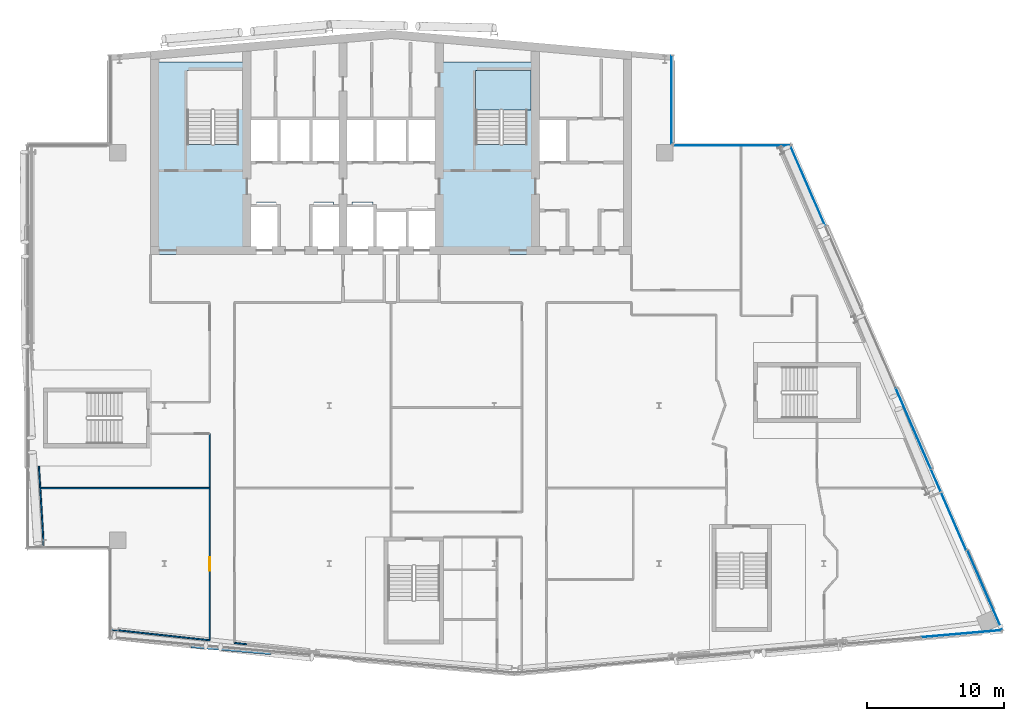
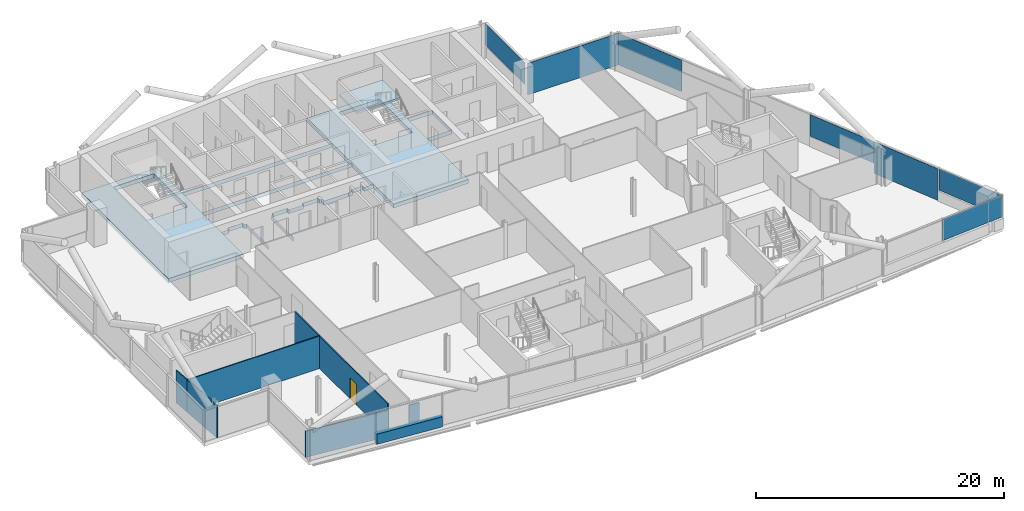
# One storey, part 14 of 28: 7 plates, 7 walls, 2 slabs, 1 door, 1 opening, 5 elements without a shape of their own.
"""IFC4 building model written with IfcOpenShell, lengths in metres."""

from ifc_helpers import new_model, si_unit, direction, frame, frame_2d, origin, origin_2d, place, context, subcontext, project, spatial, polyline, rectangle, outline, extrude, material, layer, layer_set, type_object, element, fill, aggregate, save


model = new_model("IFC4")

# Units and contexts
model_context = context("Model", 3, precision=1e-05, world=origin(), true_north=direction((0.0, 1.0)))
body_context = subcontext(model_context, "Body", "Model", "MODEL_VIEW")
ifc_project = project(units=[si_unit("LENGTHUNIT", "METRE"), si_unit("AREAUNIT", "SQUARE_METRE"), si_unit("VOLUMEUNIT", "CUBIC_METRE"), si_unit("PLANEANGLEUNIT", "RADIAN"), si_unit("MASSUNIT", "GRAM", prefix="KILO")], contexts=[model_context])

# Site, building, storey
site_placement = place(None, origin())
site = spatial("IfcSite", under=ifc_project, at=site_placement, CompositionType="ELEMENT")
building_placement = place(site_placement, origin())
building = spatial("IfcBuilding", under=site, at=building_placement, Name="Wharfspan Tower", CompositionType="ELEMENT")
storey_placement = place(building_placement, frame((0.0, 0.0, 250.300049)))
storey = spatial("IfcBuildingStorey", under=building, at=storey_placement, Name="L63", CompositionType="ELEMENT", Elevation=250.300049)

# Curtain wall, plate
ifc_material_1 = material(Name="Aluminium 6063-T6", Category="aluminium")
curtain_wall_type_1 = type_object("IfcCurtainWallType", Name="CURTAIN WALL FACETED FRONT", PredefinedType="NOTDEFINED", material=ifc_material_1)
curtain_wall_1_placement = place(storey_placement, origin())
curtain_wall_1 = element("IfcCurtainWall", 1, at=curtain_wall_1_placement, inside=storey, type_object=curtain_wall_type_1, Name="Curtain wall S2", PredefinedType="NOTDEFINED")
ifc_material_2 = material(Name="Glass clear low-iron double glazing", Category="glass")
ifc_layer_1 = layer(ifc_material_2, 0.040039)
ifc_layer_set_1 = layer_set([ifc_layer_1], Name="Glass clear low-iron double glazing")
plate_type_1 = type_object("IfcPlateType", Name="GLASS PANEL FACETED FRONT 40", PredefinedType="CURTAIN_PANEL", material=ifc_layer_set_1)
plate_1_placement = place(storey_placement, frame((82.021484, 6.399658, 1.0), z_axis=(0.0, 0.0, 1.0), x_axis=(0.996197, 0.087156, 0.0)))
plate_1 = element("IfcPlate", 2, at=plate_1_placement, type_object=plate_type_1, Name="Curtain wall S2 panel 6", PredefinedType="CURTAIN_PANEL", context=body_context, shape_type="SweptSolid", body=[
    extrude(rectangle(XDim=5.849365, YDim=0.040039, at=origin_2d()), origin(), (0.0, 0.0, 1.0), 2.120117),
])
aggregate(curtain_wall_1, [plate_1])

# Curtain wall, plates
curtain_wall_type_2 = type_object("IfcCurtainWallType", Name="CURTAIN WALL PROW AND END", PredefinedType="NOTDEFINED", material=ifc_material_1)
curtain_wall_2_placement = place(storey_placement, origin())
curtain_wall_2 = element("IfcCurtainWall", 3, at=curtain_wall_2_placement, inside=storey, type_object=curtain_wall_type_2, Name="Curtain wall E", PredefinedType="NOTDEFINED")
ifc_layer_2 = layer(ifc_material_2, 0.040039)
ifc_layer_set_2 = layer_set([ifc_layer_2], Name="Glass clear low-iron double glazing")
plate_type_2 = type_object("IfcPlateType", Name="GLASS PANEL PROW AND END 40", PredefinedType="CURTAIN_PANEL", material=ifc_layer_set_2)
plate_2_placement = place(storey_placement, frame((83.711426, 9.563721, 1.0), z_axis=(0.0, 0.0, 1.0), x_axis=(-0.398727, 0.917072, 0.0)))
plate_2 = element("IfcPlate", 4, at=plate_2_placement, type_object=plate_type_2, Name="Curtain wall E panel 1", PredefinedType="CURTAIN_PANEL", context=body_context, shape_type="SweptSolid", body=[
    extrude(rectangle(XDim=6.343506, YDim=0.040039, at=origin_2d()), origin(), (0.0, 0.0, 1.0), 2.120117),
])
plate_3_placement = place(storey_placement, frame((78.513672, 21.318115, 1.0), z_axis=(0.0, 0.0, 1.0), x_axis=(-0.398727, 0.917072, 0.0)))
plate_3 = element("IfcPlate", 5, at=plate_3_placement, type_object=plate_type_2, Name="Curtain wall E panel 3", PredefinedType="CURTAIN_PANEL", context=body_context, shape_type="SweptSolid", body=[
    extrude(rectangle(XDim=6.373535, YDim=0.040039, at=origin_2d()), origin(), (0.0, 0.0, 1.0), 2.120117),
])

# Curtain wall, plate
curtain_wall_3_placement = place(storey_placement, origin())
curtain_wall_3 = element("IfcCurtainWall", 6, at=curtain_wall_3_placement, inside=storey, type_object=curtain_wall_type_2, Name="Curtain wall NRE-V", PredefinedType="NOTDEFINED")
plate_4_placement = place(storey_placement, frame((60.919922, 45.262451, 1.0), z_axis=(0.0, 0.0, 1.0), x_axis=(0.0, 1.0, 0.0)))
plate_4 = element("IfcPlate", 7, at=plate_4_placement, type_object=plate_type_2, Name="Curtain wall NRE-V panel 1", PredefinedType="CURTAIN_PANEL", context=body_context, shape_type="SweptSolid", body=[
    extrude(rectangle(XDim=6.405029, YDim=0.040039, at=origin_2d()), origin(), (0.0, 0.0, 1.0), 2.120117),
])
aggregate(curtain_wall_3, [plate_4])

# Plate
ifc_material_3 = material(Name="Aluminium composite opaque insulated panel", Category="aluminium")
ifc_layer_3 = layer(ifc_material_3, 0.040039)
ifc_layer_set_3 = layer_set([ifc_layer_3], Name="Aluminium composite opaque insulated panel")
plate_type_3 = type_object("IfcPlateType", Name="INFILL PANEL PROW AND END OPAQUE 40", PredefinedType="SHEET", material=ifc_layer_set_3)
plate_5_placement = place(storey_placement, frame((81.078857, 15.418213, 0.0), z_axis=(0.0, 0.0, 1.0), x_axis=(-0.398727, 0.917072, 0.0)))
plate_5 = element("IfcPlate", 8, at=plate_5_placement, type_object=plate_type_3, Name="Curtain wall E panel 2", PredefinedType="SHEET", context=body_context, shape_type="SweptSolid", body=[
    extrude(rectangle(XDim=6.373535, YDim=0.040039, at=origin_2d()), origin(), (0.0, 0.0, 1.0), 3.120117),
])

plate_6_placement = place(storey_placement, frame((70.823975, 39.004395, 0.0), z_axis=(0.0, 0.0, 1.0), x_axis=(-0.398727, 0.917072, 0.0)))
plate_6 = element("IfcPlate", 9, at=plate_6_placement, type_object=plate_type_3, Name="Curtain wall E panel 6", PredefinedType="SHEET", context=body_context, shape_type="SweptSolid", body=[
    extrude(rectangle(XDim=6.343506, YDim=0.040039, at=origin_2d()), origin(), (0.0, 0.0, 1.0), 3.120117),
])

aggregate(curtain_wall_2, [plate_2, plate_5, plate_3, plate_6])

# Curtain wall, plate
curtain_wall_4_placement = place(storey_placement, origin())
curtain_wall_4 = element("IfcCurtainWall", 10, at=curtain_wall_4_placement, inside=storey, type_object=curtain_wall_type_2, Name="Curtain wall NRE-H", PredefinedType="NOTDEFINED")
plate_7_placement = place(storey_placement, frame((65.304443, 41.919922, 0.0), z_axis=(0.0, 0.0, 1.0), x_axis=(-1.0, 0.0, 0.0)))
plate_7 = element("IfcPlate", 11, at=plate_7_placement, type_object=plate_type_3, Name="Curtain wall NRE-H panel 1", PredefinedType="SHEET", context=body_context, shape_type="SweptSolid", body=[
    extrude(rectangle(XDim=8.48877, YDim=0.040039, at=origin_2d()), origin(), (0.0, 0.0, 1.0), 3.120117),
])
aggregate(curtain_wall_4, [plate_7])

# Slab
ifc_material_4 = material(Name="Concrete C40/50", Category="concrete")
ifc_layer_4 = layer(ifc_material_4, 0.399902)
ifc_layer_set_4 = layer_set([ifc_layer_4], Name="Concrete C40/50")
slab_type_1 = type_object("IfcSlabType", Name="Post-tensioned flat slab 400", PredefinedType="FLOOR", material=ifc_layer_set_4)
slab_1_placement = place(storey_placement, frame((0.0, 0.0, -0.400146)))
element("IfcSlab", 12, at=slab_1_placement, inside=storey, type_object=slab_type_1, Name="Core floor slab L63 part 2", PredefinedType="FLOOR", context=body_context, shape_type="SweptSolid", body=[
    extrude(outline(polyline([(23.0, 34.0), (29.998047, 34.0), (29.998047, 37.550049), (29.998047, 37.550293), (29.998047, 37.550293), (29.998047, 37.550537), (29.998291, 37.550781), (29.998291, 37.550781), (29.998291, 37.551025), (29.998535, 37.55127), (29.998535, 37.551514), (29.998779, 37.551514), (29.998779, 37.551758), (29.999023, 37.551758), (29.999268, 37.551758), (29.999512, 37.552002), (29.999512, 37.552002), (29.999756, 37.552002), (30.0, 37.552002), (30.7146, 37.552002), (30.7146, 37.800049), (30.7146, 37.800293), (30.7146, 37.800293), (30.714844, 37.800537), (30.714844, 37.800781), (30.714844, 37.800781), (30.715088, 37.801025), (30.715088, 37.80127), (30.715332, 37.801514), (30.715332, 37.801514), (30.715576, 37.801758), (30.71582, 37.801758), (30.71582, 37.801758), (30.716064, 37.802002), (30.716309, 37.802002), (30.716553, 37.802002), (30.716797, 37.802002), (32.116699, 37.802002), (32.116943, 37.802002), (32.117188, 37.802002), (32.117188, 37.802002), (32.117432, 37.801758), (32.117676, 37.801758), (32.11792, 37.801758), (32.11792, 37.801514), (32.118164, 37.801514), (32.118164, 37.80127), (32.118408, 37.801025), (32.118408, 37.800781), (32.118408, 37.800781), (32.118652, 37.800537), (32.118652, 37.800293), (32.118652, 37.800293), (32.118652, 37.800049), (32.118652, 37.552002), (32.333252, 37.552002), (32.333496, 37.552002), (32.33374, 37.552002), (32.333984, 37.552002), (32.333984, 37.551758), (32.334229, 37.551758), (32.334473, 37.551758), (32.334717, 37.551514), (32.334717, 37.551514), (32.334961, 37.55127), (32.334961, 37.551025), (32.335205, 37.550781), (32.335205, 37.550781), (32.335205, 37.550537), (32.335205, 37.550293), (32.335205, 37.550293), (32.335205, 37.550049), (32.335205, 34.0), (32.341309, 34.0), (32.341309, 37.558105), (32.126709, 37.558105), (32.126465, 37.558105), (32.126221, 37.558105), (32.126221, 37.558105), (32.125977, 37.558105), (32.125732, 37.558105), (32.125488, 37.55835), (32.125488, 37.558594), (32.125244, 37.558594), (32.125244, 37.558594), (32.125, 37.558838), (32.125, 37.559082), (32.125, 37.559082), (32.124756, 37.559326), (32.124756, 37.55957), (32.124756, 37.559814), (32.124756, 37.560059), (32.124756, 37.808105), (30.70874, 37.808105), (30.70874, 37.560059), (30.70874, 37.559814), (30.70874, 37.55957), (30.708496, 37.559326), (30.708496, 37.559082), (30.708496, 37.559082), (30.708496, 37.558838), (30.708252, 37.558594), (30.708008, 37.558594), (30.708008, 37.558594), (30.707764, 37.55835), (30.70752, 37.558105), (30.70752, 37.558105), (30.707275, 37.558105), (30.707031, 37.558105), (30.706787, 37.558105), (30.706787, 37.558105), (30.01001, 37.558105), (30.009766, 37.558105), (30.009521, 37.558105), (30.009521, 37.558105), (30.009277, 37.558105), (30.009033, 37.558105), (30.008789, 37.55835), (30.008789, 37.558594), (30.008545, 37.558594), (30.008545, 37.558594), (30.008301, 37.558838), (30.008301, 37.559082), (30.008301, 37.559082), (30.008057, 37.559326), (30.008057, 37.55957), (30.008057, 37.559814), (30.008057, 37.560059), (30.008057, 40.689941), (30.008057, 40.690186), (30.008057, 40.69043), (30.008057, 40.690674), (30.008301, 40.690918), (30.008301, 40.690918), (30.008301, 40.691162), (30.008545, 40.691406), (30.008545, 40.691406), (30.008789, 40.691406), (30.008789, 40.69165), (30.009033, 40.691895), (30.009277, 40.691895), (30.009521, 40.691895), (30.009521, 40.691895), (30.009766, 40.691895), (30.01001, 40.691895), (43.98999, 40.691895), (43.990234, 40.691895), (43.990479, 40.691895), (43.990479, 40.691895), (43.990723, 40.691895), (43.990967, 40.691895), (43.991211, 40.69165), (43.991211, 40.691406), (43.991455, 40.691406), (43.991455, 40.691406), (43.991699, 40.691162), (43.991699, 40.690918), (43.991699, 40.690918), (43.991943, 40.690674), (43.991943, 40.69043), (43.991943, 40.690186), (43.991943, 40.689941), (43.991943, 37.26001), (43.991943, 37.259766), (43.991943, 37.259521), (43.991943, 37.259521), (43.991699, 37.259277), (43.991699, 37.259033), (43.991699, 37.258789), (43.991455, 37.258789), (43.991455, 37.258545), (43.991211, 37.258545), (43.991211, 37.258301), (43.990967, 37.258301), (43.990723, 37.258301), (43.990479, 37.258057), (43.990479, 37.258057), (43.990234, 37.258057), (43.98999, 37.258057), (43.143311, 37.258057), (43.143066, 37.258057), (43.142822, 37.258057), (43.142578, 37.258057), (43.142578, 37.258301), (43.142334, 37.258301), (43.14209, 37.258301), (43.14209, 37.258545), (43.141846, 37.258545), (43.141846, 37.258789), (43.141602, 37.258789), (43.141602, 37.259033), (43.141602, 37.259277), (43.141357, 37.259521), (43.141357, 37.259521), (43.141357, 37.259766), (43.141357, 37.26001), (43.141357, 37.508057), (42.025391, 37.508057), (42.025391, 37.26001), (42.025391, 37.259766), (42.025391, 37.259521), (42.025146, 37.259521), (42.025146, 37.259277), (42.025146, 37.259033), (42.024902, 37.258789), (42.024902, 37.258789), (42.024658, 37.258545), (42.024658, 37.258545), (42.024414, 37.258301), (42.02417, 37.258301), (42.02417, 37.258301), (42.023926, 37.258057), (42.023682, 37.258057), (42.023438, 37.258057), (42.023193, 37.258057), (41.658691, 37.258057), (41.658691, 37.209961), (41.658691, 37.209717), (41.658691, 37.209717), (41.658691, 37.209473), (41.658447, 37.209229), (41.658447, 37.208984), (41.658447, 37.208984), (41.658203, 37.20874), (41.658203, 37.208496), (41.657959, 37.208496), (41.657715, 37.208252), (41.657715, 37.208252), (41.657471, 37.208252), (41.657227, 37.208008), (41.656982, 37.208008), (41.656982, 37.208008), (41.656738, 37.208008), (39.343262, 37.208008), (39.343018, 37.208008), (39.343018, 37.208008), (39.342773, 37.208008), (39.342529, 37.208252), (39.342285, 37.208252), (39.342285, 37.208252), (39.342041, 37.208496), (39.341797, 37.208496), (39.341797, 37.20874), (39.341553, 37.208984), (39.341553, 37.208984), (39.341553, 37.209229), (39.341309, 37.209473), (39.341309, 37.209717), (39.341309, 37.209717), (39.341309, 37.209961), (39.341309, 37.558105), (39.166748, 37.558105), (39.166504, 37.558105), (39.16626, 37.558105), (39.166016, 37.558105), (39.166016, 37.558105), (39.165771, 37.558105), (39.165527, 37.55835), (39.165283, 37.558594), (39.165283, 37.558594), (39.165283, 37.558594), (39.165039, 37.558838), (39.164795, 37.559082), (39.164795, 37.559082), (39.164795, 37.559326), (39.164795, 37.55957), (39.164795, 37.559814), (39.164795, 37.560059), (39.164795, 37.808105), (37.668701, 37.808105), (37.668701, 37.560059), (37.668701, 37.559814), (37.668701, 37.55957), (37.668701, 37.559326), (37.668457, 37.559082), (37.668457, 37.559082), (37.668457, 37.558838), (37.668213, 37.558594), (37.668213, 37.558594), (37.667969, 37.558594), (37.667725, 37.55835), (37.66748, 37.558105), (37.66748, 37.558105), (37.667236, 37.558105), (37.666992, 37.558105), (37.666992, 37.558105), (37.666748, 37.558105), (36.293213, 37.558105), (36.293213, 37.558105), (36.292969, 37.558105), (36.292725, 37.558105), (36.29248, 37.558105), (36.29248, 37.558105), (36.292236, 37.55835), (36.291992, 37.558594), (36.291992, 37.558594), (36.291748, 37.558594), (36.291504, 37.558838), (36.291504, 37.559082), (36.291504, 37.559082), (36.291504, 37.559326), (36.29126, 37.55957), (36.29126, 37.559814), (36.29126, 37.560059), (36.29126, 37.808105), (34.875244, 37.808105), (34.875244, 37.560059), (34.875244, 37.559814), (34.875244, 37.55957), (34.875244, 37.559326), (34.875, 37.559082), (34.875, 37.559082), (34.875, 37.558838), (34.874756, 37.558594), (34.874756, 37.558594), (34.874512, 37.558594), (34.874512, 37.55835), (34.874268, 37.558105), (34.874023, 37.558105), (34.873779, 37.558105), (34.873779, 37.558105), (34.873535, 37.558105), (34.873291, 37.558105), (34.658691, 37.558105), (34.658691, 34.0), (34.664795, 34.0), (34.664795, 37.550049), (34.664795, 37.550293), (34.664795, 37.550293), (34.664795, 37.550537), (34.664795, 37.550781), (34.664795, 37.550781), (34.665039, 37.551025), (34.665039, 37.55127), (34.665283, 37.551514), (34.665283, 37.551514), (34.665527, 37.551758), (34.665771, 37.551758), (34.666016, 37.551758), (34.666016, 37.552002), (34.66626, 37.552002), (34.666504, 37.552002), (34.666748, 37.552002), (34.881348, 37.552002), (34.881348, 37.800049), (34.881348, 37.800293), (34.881348, 37.800293), (34.881348, 37.800537), (34.881592, 37.800781), (34.881592, 37.800781), (34.881592, 37.801025), (34.881836, 37.80127), (34.881836, 37.801514), (34.88208, 37.801514), (34.88208, 37.801758), (34.882324, 37.801758), (34.882568, 37.801758), (34.882812, 37.802002), (34.882812, 37.802002), (34.883057, 37.802002), (34.883301, 37.802002), (36.283203, 37.802002), (36.283447, 37.802002), (36.283691, 37.802002), (36.283936, 37.802002), (36.28418, 37.801758), (36.28418, 37.801758), (36.284424, 37.801758), (36.284668, 37.801514), (36.284668, 37.801514), (36.284912, 37.80127), (36.284912, 37.801025), (36.285156, 37.800781), (36.285156, 37.800781), (36.285156, 37.800537), (36.2854, 37.800293), (36.2854, 37.800293), (36.2854, 37.800049), (36.2854, 37.552002), (37.674805, 37.552002), (37.674805, 37.800049), (37.674805, 37.800293), (37.674805, 37.800293), (37.674805, 37.800537), (37.674805, 37.800781), (37.674805, 37.800781), (37.675049, 37.801025), (37.675049, 37.80127), (37.675293, 37.801514), (37.675293, 37.801514), (37.675537, 37.801758), (37.675781, 37.801758), (37.675781, 37.801758), (37.676025, 37.802002), (37.67627, 37.802002), (37.676514, 37.802002), (37.676758, 37.802002), (39.156738, 37.802002), (39.156982, 37.802002), (39.156982, 37.802002), (39.157227, 37.802002), (39.157471, 37.801758), (39.157715, 37.801758), (39.157715, 37.801758), (39.157959, 37.801514), (39.158203, 37.801514), (39.158203, 37.80127), (39.158203, 37.801025), (39.158447, 37.800781), (39.158447, 37.800781), (39.158691, 37.800537), (39.158691, 37.800293), (39.158691, 37.800293), (39.158691, 37.800049), (39.158691, 37.552002), (39.333252, 37.552002), (39.333496, 37.552002), (39.33374, 37.552002), (39.333984, 37.552002), (39.333984, 37.551758), (39.334229, 37.551758), (39.334473, 37.551758), (39.334717, 37.551514), (39.334717, 37.551514), (39.334961, 37.55127), (39.334961, 37.551025), (39.335205, 37.550781), (39.335205, 37.550781), (39.335205, 37.550537), (39.335205, 37.550293), (39.335205, 37.550293), (39.335205, 37.550049), (39.335205, 37.201904), (41.664795, 37.201904), (41.664795, 37.25), (41.664795, 37.250244), (41.664795, 37.250488), (41.664795, 37.250488), (41.664795, 37.250732), (41.664795, 37.250977), (41.665039, 37.251221), (41.665039, 37.251221), (41.665283, 37.251465), (41.665283, 37.251465), (41.665527, 37.251709), (41.665771, 37.251709), (41.666016, 37.251709), (41.666016, 37.251953), (41.66626, 37.251953), (41.666504, 37.251953), (41.666748, 37.251953), (42.03125, 37.251953), (42.03125, 37.5), (42.03125, 37.500244), (42.031494, 37.500488), (42.031494, 37.500488), (42.031494, 37.500732), (42.031494, 37.500977), (42.031738, 37.501221), (42.031738, 37.501221), (42.031982, 37.501465), (42.031982, 37.501465), (42.032227, 37.501709), (42.032471, 37.501709), (42.032715, 37.501709), (42.032715, 37.501953), (42.032959, 37.501953), (42.033203, 37.501953), (42.033203, 37.501953), (43.133301, 37.501953), (43.133545, 37.501953), (43.133789, 37.501953), (43.133789, 37.501953), (43.134033, 37.501709), (43.134277, 37.501709), (43.134521, 37.501709), (43.134521, 37.501465), (43.134766, 37.501465), (43.13501, 37.501221), (43.13501, 37.501221), (43.13501, 37.500977), (43.135254, 37.500732), (43.135254, 37.500488), (43.135254, 37.500488), (43.135254, 37.500244), (43.135254, 37.5), (43.135254, 37.251953), (44.0, 37.251953), (44.000244, 37.251953), (44.000488, 37.251953), (44.000488, 37.251953), (44.000732, 37.251709), (44.000977, 37.251709), (44.001221, 37.251709), (44.001221, 37.251465), (44.001465, 37.251465), (44.001465, 37.251221), (44.001709, 37.251221), (44.001709, 37.250977), (44.001709, 37.250732), (44.001953, 37.250488), (44.001953, 37.250488), (44.001953, 37.250244), (44.001953, 37.25), (44.001953, 34.0), (51.0, 34.0), (51.008057, 34.0), (51.008057, 40.689941), (51.008057, 40.690186), (51.008057, 40.69043), (51.008057, 40.690674), (51.008301, 40.690918), (51.008301, 40.690918), (51.008301, 40.691162), (51.008545, 40.691406), (51.008545, 40.691406), (51.008789, 40.691406), (51.008789, 40.69165), (51.009033, 40.691895), (51.009277, 40.691895), (51.009521, 40.691895), (51.009521, 40.691895), (51.009766, 40.691895), (51.01001, 40.691895), (53.341309, 40.691895), (53.341309, 43.907959), (51.01001, 43.907959), (51.009766, 43.907959), (51.009521, 43.907959), (51.009521, 43.908203), (51.009277, 43.908203), (51.009033, 43.908203), (51.008789, 43.908203), (51.008789, 43.908447), (51.008545, 43.908691), (51.008545, 43.908691), (51.008301, 43.908936), (51.008301, 43.90918), (51.008301, 43.90918), (51.008057, 43.909424), (51.008057, 43.909668), (51.008057, 43.909912), (51.008057, 43.909912), (51.008057, 48.008057), (43.991943, 48.008057), (43.991943, 43.909912), (43.991943, 43.909912), (43.991943, 43.909668), (43.991943, 43.909424), (43.991699, 43.90918), (43.991699, 43.90918), (43.991699, 43.908936), (43.991455, 43.908691), (43.991455, 43.908691), (43.991211, 43.908447), (43.991211, 43.908203), (43.990967, 43.908203), (43.990723, 43.908203), (43.990479, 43.908203), (43.990479, 43.907959), (43.990234, 43.907959), (43.98999, 43.907959), (30.01001, 43.907959), (30.009766, 43.907959), (30.009521, 43.907959), (30.009521, 43.908203), (30.009277, 43.908203), (30.009033, 43.908203), (30.008789, 43.908203), (30.008789, 43.908447), (30.008545, 43.908691), (30.008545, 43.908691), (30.008301, 43.908936), (30.008301, 43.90918), (30.008301, 43.90918), (30.008057, 43.909424), (30.008057, 43.909668), (30.008057, 43.909912), (30.008057, 43.909912), (30.008057, 48.008057), (23.0, 48.008057), (23.0, 48.0), (23.0, 34.0)]), holes=[polyline([(53.333252, 43.9021), (53.333496, 43.9021), (53.33374, 43.9021), (53.333984, 43.901855), (53.333984, 43.901855), (53.334229, 43.901855), (53.334473, 43.901611), (53.334717, 43.901611), (53.334717, 43.901367), (53.334961, 43.901367), (53.334961, 43.901123), (53.335205, 43.900879), (53.335205, 43.900879), (53.335205, 43.900635), (53.335205, 43.900391), (53.335205, 43.900146), (53.335205, 43.899902), (53.335205, 40.699951), (53.335205, 40.699707), (53.335205, 40.699707), (53.335205, 40.699463), (53.335205, 40.699219), (53.335205, 40.699219), (53.334961, 40.698975), (53.334961, 40.69873), (53.334717, 40.698486), (53.334717, 40.698486), (53.334473, 40.698242), (53.334229, 40.698242), (53.333984, 40.698242), (53.333984, 40.697998), (53.33374, 40.697998), (53.333496, 40.697998), (53.333252, 40.697998), (51.0, 40.697998), (50.999756, 40.697998), (50.999512, 40.697998), (50.999512, 40.697998), (50.999268, 40.698242), (50.999023, 40.698242), (50.998779, 40.698242), (50.998779, 40.698486), (50.998535, 40.698486), (50.998535, 40.69873), (50.998291, 40.698975), (50.998291, 40.699219), (50.998291, 40.699219), (50.998047, 40.699463), (50.998047, 40.699707), (50.998047, 40.699707), (50.998047, 40.699951), (50.998047, 43.899902), (50.998047, 43.900146), (50.998047, 43.900391), (50.998047, 43.900635), (50.998291, 43.900879), (50.998291, 43.900879), (50.998291, 43.901123), (50.998535, 43.901367), (50.998535, 43.901367), (50.998779, 43.901611), (50.998779, 43.901611), (50.999023, 43.901855), (50.999268, 43.901855), (50.999512, 43.901855), (50.999512, 43.9021), (50.999756, 43.9021), (51.0, 43.9021), (53.333252, 43.9021)]), polyline([(46.649902, 41.998047), (46.649902, 41.998047), (46.649658, 41.998047), (46.649414, 41.998047), (46.64917, 41.998291), (46.64917, 41.998291), (46.648926, 41.998291), (46.648682, 41.998535), (46.648682, 41.998535), (46.648438, 41.998779), (46.648193, 41.998779), (46.648193, 41.999023), (46.648193, 41.999268), (46.648193, 41.999512), (46.647949, 41.999512), (46.647949, 41.999756), (46.647949, 42.0), (46.647949, 47.399902), (46.647949, 47.400146), (46.647949, 47.400391), (46.648193, 47.400635), (46.648193, 47.400879), (46.648193, 47.400879), (46.648193, 47.401123), (46.648438, 47.401367), (46.648682, 47.401367), (46.648682, 47.401611), (46.648926, 47.401611), (46.64917, 47.401855), (46.64917, 47.401855), (46.649414, 47.401855), (46.649658, 47.4021), (46.649902, 47.4021), (46.649902, 47.4021), (50.399902, 47.4021), (50.400146, 47.4021), (50.400391, 47.4021), (50.400635, 47.401855), (50.400879, 47.401855), (50.400879, 47.401855), (50.401123, 47.401611), (50.401367, 47.401611), (50.401367, 47.401367), (50.401611, 47.401367), (50.401611, 47.401123), (50.401855, 47.400879), (50.401855, 47.400879), (50.401855, 47.400635), (50.4021, 47.400391), (50.4021, 47.400146), (50.4021, 47.399902), (50.4021, 42.0), (50.4021, 41.999756), (50.4021, 41.999512), (50.401855, 41.999512), (50.401855, 41.999268), (50.401855, 41.999023), (50.401611, 41.998779), (50.401611, 41.998779), (50.401367, 41.998535), (50.401367, 41.998535), (50.401123, 41.998291), (50.400879, 41.998291), (50.400879, 41.998291), (50.400635, 41.998047), (50.400391, 41.998047), (50.400146, 41.998047), (50.399902, 41.998047), (46.649902, 41.998047)]), polyline([(44.0, 43.9021), (44.000244, 43.9021), (44.000488, 43.9021), (44.000488, 43.901855), (44.000732, 43.901855), (44.000977, 43.901855), (44.001221, 43.901611), (44.001221, 43.901611), (44.001465, 43.901367), (44.001465, 43.901367), (44.001709, 43.901123), (44.001709, 43.900879), (44.001709, 43.900879), (44.001953, 43.900635), (44.001953, 43.900391), (44.001953, 43.900146), (44.001953, 43.899902), (44.001953, 40.699951), (44.001953, 40.699707), (44.001953, 40.699707), (44.001953, 40.699463), (44.001709, 40.699219), (44.001709, 40.699219), (44.001709, 40.698975), (44.001465, 40.69873), (44.001465, 40.698486), (44.001221, 40.698486), (44.001221, 40.698242), (44.000977, 40.698242), (44.000732, 40.698242), (44.000488, 40.697998), (44.000488, 40.697998), (44.000244, 40.697998), (44.0, 40.697998), (30.0, 40.697998), (29.999756, 40.697998), (29.999512, 40.697998), (29.999512, 40.697998), (29.999268, 40.698242), (29.999023, 40.698242), (29.998779, 40.698242), (29.998779, 40.698486), (29.998535, 40.698486), (29.998535, 40.69873), (29.998291, 40.698975), (29.998291, 40.699219), (29.998291, 40.699219), (29.998047, 40.699463), (29.998047, 40.699707), (29.998047, 40.699707), (29.998047, 40.699951), (29.998047, 43.899902), (29.998047, 43.900146), (29.998047, 43.900391), (29.998047, 43.900635), (29.998291, 43.900879), (29.998291, 43.900879), (29.998291, 43.901123), (29.998535, 43.901367), (29.998535, 43.901367), (29.998779, 43.901611), (29.998779, 43.901611), (29.999023, 43.901855), (29.999268, 43.901855), (29.999512, 43.901855), (29.999512, 43.9021), (29.999756, 43.9021), (30.0, 43.9021), (44.0, 43.9021)]), polyline([(29.4021, 42.0), (29.4021, 41.999756), (29.4021, 41.999512), (29.401855, 41.999512), (29.401855, 41.999268), (29.401855, 41.999023), (29.401611, 41.998779), (29.401611, 41.998779), (29.401367, 41.998535), (29.401367, 41.998535), (29.401123, 41.998291), (29.400879, 41.998291), (29.400879, 41.998291), (29.400635, 41.998047), (29.400391, 41.998047), (29.400146, 41.998047), (29.399902, 41.998047), (25.649902, 41.998047), (25.649902, 41.998047), (25.649658, 41.998047), (25.649414, 41.998047), (25.64917, 41.998291), (25.64917, 41.998291), (25.648926, 41.998291), (25.648682, 41.998535), (25.648682, 41.998535), (25.648438, 41.998779), (25.648193, 41.998779), (25.648193, 41.999023), (25.648193, 41.999268), (25.648193, 41.999512), (25.647949, 41.999512), (25.647949, 41.999756), (25.647949, 42.0), (25.647949, 47.399902), (25.647949, 47.400146), (25.647949, 47.400391), (25.648193, 47.400635), (25.648193, 47.400879), (25.648193, 47.400879), (25.648193, 47.401123), (25.648438, 47.401367), (25.648682, 47.401367), (25.648682, 47.401611), (25.648926, 47.401611), (25.64917, 47.401855), (25.64917, 47.401855), (25.649414, 47.401855), (25.649658, 47.4021), (25.649902, 47.4021), (25.649902, 47.4021), (29.399902, 47.4021), (29.400146, 47.4021), (29.400391, 47.4021), (29.400635, 47.401855), (29.400879, 47.401855), (29.400879, 47.401855), (29.401123, 47.401611), (29.401367, 47.401611), (29.401367, 47.401367), (29.401611, 47.401367), (29.401611, 47.401123), (29.401855, 47.400879), (29.401855, 47.400879), (29.401855, 47.400635), (29.4021, 47.400391), (29.4021, 47.400146), (29.4021, 47.399902), (29.4021, 42.0)])]), origin(), (0.0, 0.0, 1.0), 0.400146),
])

# Stair, slab
stair_type = type_object("IfcStairType", Name="Half-turn stair 20 risers 180 mm", PredefinedType="HALF_TURN_STAIR", material=ifc_material_4)
stair_placement = place(storey_placement, origin())
stair = element("IfcStair", 13, at=stair_placement, inside=storey, type_object=stair_type, Name="L63 stair ST2", PredefinedType="HALF_TURN_STAIR")
ifc_layer_5 = layer(ifc_material_4, 0.199951)
ifc_layer_set_5 = layer_set([ifc_layer_5], Name="Concrete C40/50")
slab_type_2 = type_object("IfcSlabType", Name="Stair landing 200", PredefinedType="LANDING", material=ifc_layer_set_5)
slab_2_placement = place(storey_placement, frame((0.0, 0.0, 1.599854)))
slab_2 = element("IfcSlab", 14, at=slab_2_placement, type_object=slab_type_2, Name="ST2 landing 1", PredefinedType="LANDING", context=body_context, shape_type="SweptSolid", body=[
    extrude(outline(polyline([(46.649902, 44.52002), (50.699951, 44.52002), (50.699951, 47.399902), (46.649902, 47.399902), (46.649902, 44.52002)])), origin(), (0.0, 0.0, 1.0), 0.200195),
])
aggregate(stair, [slab_2])

# Walls
ifc_material_5 = material(Name="Gypsum board on steel studs", Category="steel")
ifc_layer_6 = layer(ifc_material_5, 0.100098)
ifc_layer_set_6 = layer_set([ifc_layer_6], Name="Gypsum board on steel studs")
wall_type_1 = type_object("IfcWallType", Name="Compartment wall 100 EI 60", PredefinedType="PARTITIONING", material=ifc_layer_set_6)
wall_1_placement = place(storey_placement, frame((14.959961, 16.995117, 0.0), z_axis=(0.0, 0.0, 1.0), x_axis=(1.0, 0.0, 0.0)))
element("IfcWall", 15, at=wall_1_placement, inside=storey, type_object=wall_type_1, Name="Partition L63.w003", PredefinedType="PARTITIONING", context=body_context, shape_type="SweptSolid", body=[
    extrude(rectangle(XDim=12.340088, YDim=0.100098, at=frame_2d((6.169922, 0.0))), origin(), (0.0, 0.0, 1.0), 3.199951),
])
wall_2_placement = place(storey_placement, frame((27.300049, 5.919922, 0.0), z_axis=(0.0, 0.0, 1.0), x_axis=(-0.994192, 0.107591, 0.0)))
element("IfcWall", 16, at=wall_2_placement, inside=storey, type_object=wall_type_1, Name="Partition L63.w010", PredefinedType="PARTITIONING", context=body_context, shape_type="SweptSolid", body=[
    extrude(rectangle(XDim=7.32251, YDim=0.100098, at=frame_2d((3.661133, 0.0))), origin(), (0.0, 0.0, 1.0), 2.579834),
])

# Wall, opening, door
wall_3_placement = place(storey_placement, frame((27.300049, 5.919922, 0.0), z_axis=(0.0, 0.0, 1.0), x_axis=(0.0, 1.0, 0.0)))
wall_3 = element("IfcWall", 17, at=wall_3_placement, inside=storey, type_object=wall_type_1, Name="Partition L63.w012", PredefinedType="PARTITIONING", context=body_context, shape_type="SweptSolid", body=[
    extrude(rectangle(XDim=15.030029, YDim=0.100098, at=frame_2d((7.515137, 0.0))), origin(), (0.0, 0.0, 1.0), 3.199951),
])
opening_placement = place(wall_3_placement, frame((5.054932, 0.0, 0.0)))
opening = element("IfcOpeningElement", 18, at=opening_placement, cuts=wall_3, Name="Opening D6-07", PredefinedType="OPENING", context=body_context, shape_type="SweptSolid", body=[
    extrude(rectangle(XDim=1.0, YDim=2.100098, at=frame_2d((0.5, 1.050049))), frame((0.0, 0.060059, 0.0), z_axis=(0.0, -1.0, 0.0), x_axis=(1.0, 0.0, 0.0)), (0.0, 0.0, 1.0), 0.120117),
])
ifc_material_6 = material(Name="Fire-rated timber door leaf in steel frame", Category="steel")
door_type = type_object("IfcDoorType", Name="Door 1000 FD30S Left", OperationType="SINGLE_SWING_LEFT", PredefinedType="DOOR", material=ifc_material_6)
door_placement = place(opening_placement, origin())
door = element("IfcDoor", 19, at=door_placement, inside=storey, type_object=door_type, Name="Door D6-07", OperationType="SINGLE_SWING_LEFT", OverallHeight=2.100098, OverallWidth=1.0, PredefinedType="DOOR", context=body_context, shape_type="SweptSolid", body=[
    extrude(rectangle(XDim=1.0, YDim=2.100098, at=frame_2d((0.5, 1.050049))), frame((0.0, 0.024902, 0.0), z_axis=(0.0, -1.0, 0.0), x_axis=(1.0, 0.0, 0.0)), (0.0, 0.0, 1.0), 0.050049),
])
fill(opening, door)

# Walls
wall_4_placement = place(storey_placement, frame((30.0, 5.629883, 0.0), z_axis=(0.0, 0.0, 1.0), x_axis=(-0.994445, 0.105218, 0.0)))
element("IfcWall", 20, at=wall_4_placement, inside=storey, type_object=wall_type_1, Name="Partition L63.w016", PredefinedType="PARTITIONING", context=body_context, shape_type="SweptSolid", body=[
    extrude(rectangle(XDim=0.905029, YDim=0.100098, at=frame_2d((0.452637, 0.0))), origin(), (0.0, 0.0, 1.0), 2.579834),
])
ifc_layer_7 = layer(ifc_material_5, 0.100098)
ifc_layer_set_7 = layer_set([ifc_layer_7], Name="Gypsum board on steel studs")
wall_type_2 = type_object("IfcWallType", Name="Partition 100", PredefinedType="PARTITIONING", material=ifc_layer_set_7)
wall_5_placement = place(storey_placement, frame((14.959961, 17.0, 0.0), z_axis=(0.0, 0.0, 1.0), x_axis=(-0.062301, 0.998053, 0.0)))
element("IfcWall", 21, at=wall_5_placement, inside=storey, type_object=wall_type_2, Name="Partition L63.w004", PredefinedType="PARTITIONING", context=body_context, shape_type="SweptSolid", body=[
    extrude(rectangle(XDim=1.583252, YDim=0.100098, at=frame_2d((0.791504, 0.0))), origin(), (0.0, 0.0, 1.0), 3.199951),
])
wall_6_placement = place(storey_placement, frame((15.223877, 12.620117, 0.0), z_axis=(0.0, 0.0, 1.0), x_axis=(-0.060214, 0.998182, 0.0)))
element("IfcWall", 22, at=wall_6_placement, inside=storey, type_object=wall_type_2, Name="Partition L63.w005", PredefinedType="PARTITIONING", context=body_context, shape_type="SweptSolid", body=[
    extrude(rectangle(XDim=4.383057, YDim=0.100098, at=frame_2d((2.191406, 0.0))), origin(), (0.0, 0.0, 1.0), 3.199951),
])
ifc_layer_8 = layer(ifc_material_4, 0.350098)
ifc_layer_set_8 = layer_set([ifc_layer_8], Name="Concrete C40/50")
wall_type_3 = type_object("IfcWallType", Name="SPANDREL EXPOSED CONCRETE 350", PredefinedType="SOLIDWALL", material=ifc_layer_set_8)
wall_7_placement = place(storey_placement, frame((25.929443, 5.55127, 0.0), z_axis=(0.0, 0.0, 1.0), x_axis=(0.996198, -0.08716, 0.0)))
element("IfcWall", 23, at=wall_7_placement, inside=storey, type_object=wall_type_3, Name="Spandrel upstand L63 S1 1", PredefinedType="SOLIDWALL", context=body_context, shape_type="SweptSolid", body=[
    extrude(rectangle(XDim=5.862549, YDim=0.350098, at=frame_2d((2.931152, 0.0))), origin(), (0.0, 0.0, 1.0), 1.0),
])

save(model, "model.ifc")
